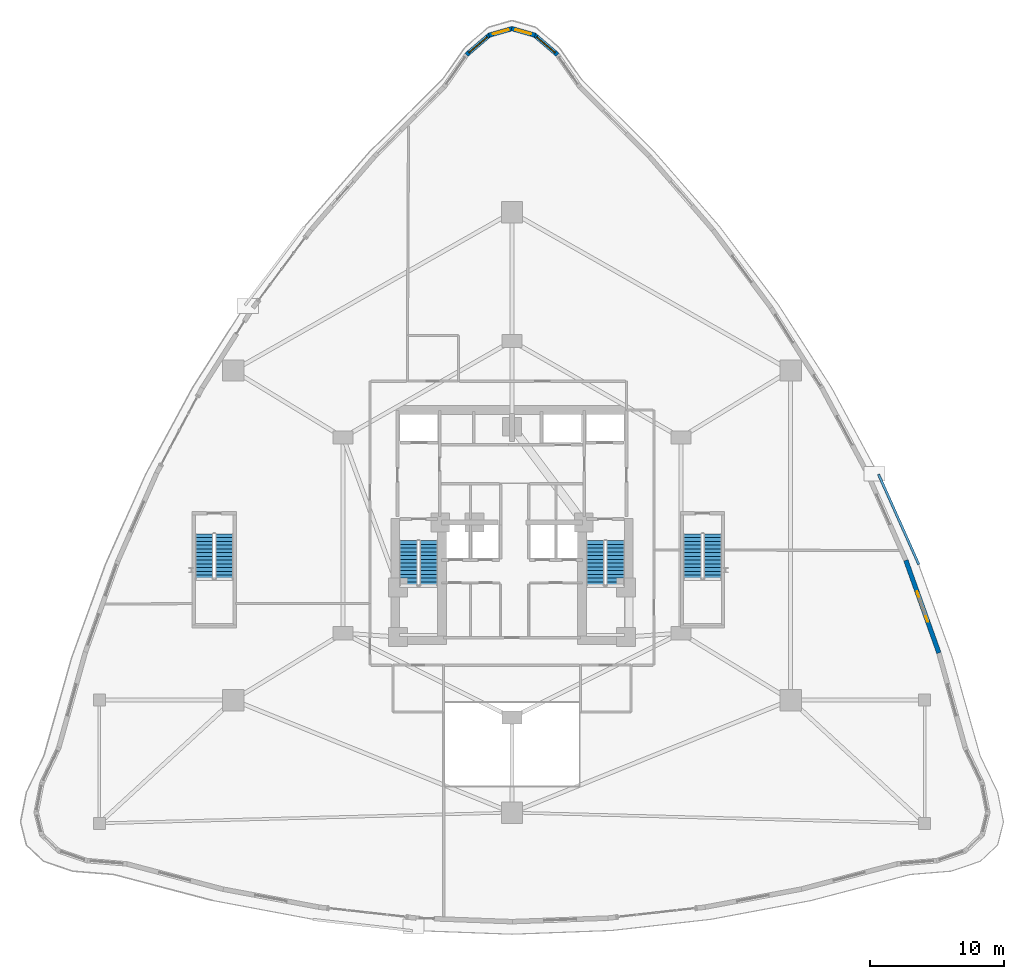
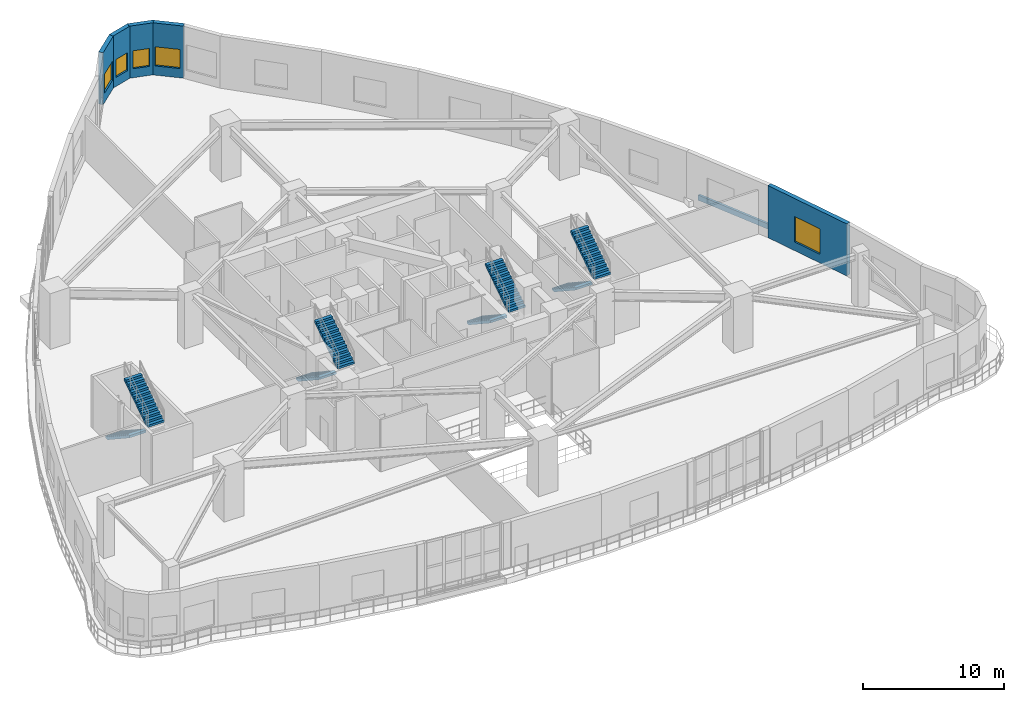
# One storey, part 19 of 25: 8 stair flights, 6 walls, 5 windows, 5 openings, 4 elements without a shape of their own.
"""IFC4 building model written with IfcOpenShell, lengths in metres."""

from ifc_helpers import new_model, si_unit, direction, frame, frame_2d, origin, place, context, subcontext, project, spatial, polyline, rectangle, outline, extrude, material, layer, layer_set, type_object, element, fill, aggregate, save


model = new_model("IFC4")

# Units and contexts
model_context = context("Model", 3, precision=1e-05, world=origin(), true_north=direction((0.0, 1.0)))
body_context = subcontext(model_context, "Body", "Model", "MODEL_VIEW")
ifc_project = project(units=[si_unit("LENGTHUNIT", "METRE"), si_unit("AREAUNIT", "SQUARE_METRE"), si_unit("VOLUMEUNIT", "CUBIC_METRE"), si_unit("PLANEANGLEUNIT", "RADIAN"), si_unit("MASSUNIT", "GRAM", prefix="KILO")], contexts=[model_context])

# Site, building, storey
site_placement = place(None, origin())
site = spatial("IfcSite", under=ifc_project, at=site_placement, CompositionType="ELEMENT")
building_placement = place(site_placement, origin())
building = spatial("IfcBuilding", under=site, at=building_placement, Name="Miruveldt Soraemaru", CompositionType="ELEMENT")
storey_placement = place(building_placement, frame((0.0, 0.0, 4.800048828125)))
storey = spatial("IfcBuildingStorey", under=building, at=storey_placement, Name="L02", CompositionType="ELEMENT", Elevation=4.800048828125)

# Wall, opening, window
ifc_material_1 = material(Name="Precast concrete C45/55 (45 MPa)", Category="concrete")
ifc_layer_1 = layer(ifc_material_1, 0.340087890625, Name="Precast concrete C45/55 (45 MPa)", Category="concrete")
ifc_layer_set_1 = layer_set([ifc_layer_1], Name="Precast concrete C45/55 (45 MPa)")
wall_type_1 = type_object("IfcWallType", Name="WALL-EXT-PC340", PredefinedType="SOLIDWALL", material=ifc_layer_set_1)
wall_1_placement = place(storey_placement, frame((47.396484375, 78.968017578125, 0.0), z_axis=(0.0, 0.0, 1.0), x_axis=(-0.75915120963, 0.650914311502, 0.0)))
wall_1 = element("IfcWall", 1, at=wall_1_placement, inside=storey, type_object=wall_type_1, Name="L02 Precast Concrete Facade Wall 2", PredefinedType="SOLIDWALL", context=body_context, shape_type="SweptSolid", body=[
    extrude(rectangle(XDim=2.28955078125, YDim=0.340087890625, at=frame_2d((1.144775390625, 0.0))), origin(), (0.0, 0.0, 1.0), 4.5),
])
opening_1_placement = place(wall_1_placement, frame((0.2451171875, 0.0, 0.800048828125)))
opening_1 = element("IfcOpeningElement", 2, at=opening_1_placement, cuts=wall_1, Name="Opening WN-2", PredefinedType="OPENING", context=body_context, shape_type="SweptSolid", body=[
    extrude(rectangle(XDim=1.800048828125, YDim=1.64990234375, at=frame_2d((0.89990234375, 0.824951171875))), frame((0.0, 0.18017578125, 0.0), z_axis=(0.0, -1.0, 0.0), x_axis=(1.0, 0.0, 0.0)), (0.0, 0.0, 1.0), 0.360107421875),
])
ifc_material_2 = material(Name="Triple low-e insulated glazing", Category="glass")
window_type_1 = type_object("IfcWindowType", Name="WIN-PUNCH-1800x1650", PartitioningType="SINGLE_PANEL", PredefinedType="WINDOW", material=ifc_material_2)
window_1_placement = place(opening_1_placement, origin())
window_1 = element("IfcWindow", 3, at=window_1_placement, inside=storey, type_object=window_type_1, Name="L02 Punched Triple-Glazed Window 02.1", OverallHeight=1.64990234375, OverallWidth=1.800048828125, PartitioningType="SINGLE_PANEL", PredefinedType="WINDOW", context=body_context, shape_type="SweptSolid", body=[
    extrude(rectangle(XDim=1.800048828125, YDim=1.64990234375, at=frame_2d((0.89990234375, 0.824951171875))), frame((0.0, 0.030029296875, 0.0), z_axis=(0.0, -1.0, 0.0), x_axis=(1.0, 0.0, 0.0)), (0.0, 0.0, 1.0), 0.06005859375),
])
fill(opening_1, window_1)

wall_2_placement = place(storey_placement, frame((45.71875, 80.42578125, 0.0), z_axis=(0.0, 0.0, 1.0), x_axis=(-0.961518892625, 0.274738819835, 0.0)))
wall_2 = element("IfcWall", 4, at=wall_2_placement, inside=storey, type_object=wall_type_1, Name="L02 Precast Concrete Facade Wall 3", PredefinedType="SOLIDWALL", context=body_context, shape_type="SweptSolid", body=[
    extrude(rectangle(XDim=1.822509765625, YDim=0.340087890625, at=frame_2d((0.9111328125, 0.0))), origin(), (0.0, 0.0, 1.0), 4.5),
])
opening_2_placement = place(wall_2_placement, frame((0.31103515625, 0.0, 0.780029296875)))
opening_2 = element("IfcOpeningElement", 5, at=opening_2_placement, cuts=wall_2, Name="Opening WN-4", PredefinedType="OPENING", context=body_context, shape_type="SweptSolid", body=[
    extrude(rectangle(XDim=1.199951171875, YDim=1.550048828125, at=frame_2d((0.60009765625, 0.77490234375))), frame((0.0, 0.18017578125, 0.0), z_axis=(0.0, -1.0, 0.0), x_axis=(1.0, 0.0, 0.0)), (0.0, 0.0, 1.0), 0.360107421875),
])
window_type_2 = type_object("IfcWindowType", Name="WIN-PUNCH-1200x1550", PartitioningType="SINGLE_PANEL", PredefinedType="WINDOW", material=ifc_material_2)
window_2_placement = place(opening_2_placement, origin())
window_2 = element("IfcWindow", 6, at=window_2_placement, inside=storey, type_object=window_type_2, Name="L02 Punched Triple-Glazed Window 03.1", OverallHeight=1.550048828125, OverallWidth=1.199951171875, PartitioningType="SINGLE_PANEL", PredefinedType="WINDOW", context=body_context, shape_type="SweptSolid", body=[
    extrude(rectangle(XDim=1.199951171875, YDim=1.550048828125, at=frame_2d((0.60009765625, 0.77490234375))), frame((0.0, 0.030029296875, 0.0), z_axis=(0.0, -1.0, 0.0), x_axis=(1.0, 0.0, 0.0)), (0.0, 0.0, 1.0), 0.06005859375),
])
fill(opening_2, window_2)

wall_3_placement = place(storey_placement, frame((44.03369140625, 80.926513671875, 0.0), z_axis=(0.0, 0.0, 1.0), x_axis=(-0.961518892625, -0.274738819835, 0.0)))
wall_3 = element("IfcWall", 7, at=wall_3_placement, inside=storey, type_object=wall_type_1, Name="L02 Precast Concrete Facade Wall 4", PredefinedType="SOLIDWALL", context=body_context, shape_type="SweptSolid", body=[
    extrude(rectangle(XDim=1.822509765625, YDim=0.340087890625, at=frame_2d((0.9111328125, 0.0))), origin(), (0.0, 0.0, 1.0), 4.5),
])
opening_3_placement = place(wall_3_placement, frame((0.31103515625, 0.0, 0.780029296875)))
opening_3 = element("IfcOpeningElement", 8, at=opening_3_placement, cuts=wall_3, Name="Opening WN-4", PredefinedType="OPENING", context=body_context, shape_type="SweptSolid", body=[
    extrude(rectangle(XDim=1.199951171875, YDim=1.550048828125, at=frame_2d((0.60009765625, 0.77490234375))), frame((0.0, 0.18017578125, 0.0), z_axis=(0.0, -1.0, 0.0), x_axis=(1.0, 0.0, 0.0)), (0.0, 0.0, 1.0), 0.360107421875),
])
window_3_placement = place(opening_3_placement, origin())
window_3 = element("IfcWindow", 9, at=window_3_placement, inside=storey, type_object=window_type_2, Name="L02 Punched Triple-Glazed Window 04.1", OverallHeight=1.550048828125, OverallWidth=1.199951171875, PartitioningType="SINGLE_PANEL", PredefinedType="WINDOW", context=body_context, shape_type="SweptSolid", body=[
    extrude(rectangle(XDim=1.199951171875, YDim=1.550048828125, at=frame_2d((0.60009765625, 0.77490234375))), frame((0.0, 0.030029296875, 0.0), z_axis=(0.0, -1.0, 0.0), x_axis=(1.0, 0.0, 0.0)), (0.0, 0.0, 1.0), 0.06005859375),
])
fill(opening_3, window_3)

wall_4_placement = place(storey_placement, frame((42.341552734375, 80.458251953125, 0.0), z_axis=(0.0, 0.0, 1.0), x_axis=(-0.75915120963, -0.650914311502, 0.0)))
wall_4 = element("IfcWall", 10, at=wall_4_placement, inside=storey, type_object=wall_type_1, Name="L02 Precast Concrete Facade Wall 5", PredefinedType="SOLIDWALL", context=body_context, shape_type="SweptSolid", body=[
    extrude(rectangle(XDim=2.28955078125, YDim=0.340087890625, at=frame_2d((1.144775390625, 0.0))), origin(), (0.0, 0.0, 1.0), 4.5),
])
opening_4_placement = place(wall_4_placement, frame((0.2451171875, 0.0, 0.800048828125)))
opening_4 = element("IfcOpeningElement", 11, at=opening_4_placement, cuts=wall_4, Name="Opening WN-2", PredefinedType="OPENING", context=body_context, shape_type="SweptSolid", body=[
    extrude(rectangle(XDim=1.800048828125, YDim=1.64990234375, at=frame_2d((0.89990234375, 0.824951171875))), frame((0.0, 0.18017578125, 0.0), z_axis=(0.0, -1.0, 0.0), x_axis=(1.0, 0.0, 0.0)), (0.0, 0.0, 1.0), 0.360107421875),
])
window_4_placement = place(opening_4_placement, origin())
window_4 = element("IfcWindow", 12, at=window_4_placement, inside=storey, type_object=window_type_1, Name="L02 Punched Triple-Glazed Window 05.1", OverallHeight=1.64990234375, OverallWidth=1.800048828125, PartitioningType="SINGLE_PANEL", PredefinedType="WINDOW", context=body_context, shape_type="SweptSolid", body=[
    extrude(rectangle(XDim=1.800048828125, YDim=1.64990234375, at=frame_2d((0.89990234375, 0.824951171875))), frame((0.0, 0.030029296875, 0.0), z_axis=(0.0, -1.0, 0.0), x_axis=(1.0, 0.0, 0.0)), (0.0, 0.0, 1.0), 0.06005859375),
])
fill(opening_4, window_4)

wall_5_placement = place(storey_placement, frame((75.863525390625, 34.3212890625, 0.0), z_axis=(0.0, 0.0, 1.0), x_axis=(-0.335971563965, 0.941872129435, 0.0)))
wall_5 = element("IfcWall", 13, at=wall_5_placement, inside=storey, type_object=wall_type_1, Name="L02 Precast Concrete Facade Wall 36", PredefinedType="SOLIDWALL", context=body_context, shape_type="SweptSolid", body=[
    extrude(rectangle(XDim=7.334228515625, YDim=0.340087890625, at=frame_2d((3.6669921875, 0.0))), origin(), (0.0, 0.0, 1.0), 4.5),
])
opening_5_placement = place(wall_5_placement, frame((2.467041015625, 0.0, 0.75)))
opening_5 = element("IfcOpeningElement", 14, at=opening_5_placement, cuts=wall_5, Name="Opening WN-5", PredefinedType="OPENING", context=body_context, shape_type="SweptSolid", body=[
    extrude(rectangle(XDim=2.39990234375, YDim=2.199951171875, at=frame_2d((1.199951171875, 1.10009765625))), frame((0.0, 0.18017578125, 0.0), z_axis=(0.0, -1.0, 0.0), x_axis=(1.0, 0.0, 0.0)), (0.0, 0.0, 1.0), 0.360107421875),
])
window_type_3 = type_object("IfcWindowType", Name="WIN-PODM-2400x2200", PartitioningType="SINGLE_PANEL", PredefinedType="WINDOW", material=ifc_material_2)
window_5_placement = place(opening_5_placement, origin())
window_5 = element("IfcWindow", 15, at=window_5_placement, inside=storey, type_object=window_type_3, Name="L02 Punched Triple-Glazed Window 36.1", OverallHeight=2.199951171875, OverallWidth=2.39990234375, PartitioningType="SINGLE_PANEL", PredefinedType="WINDOW", context=body_context, shape_type="SweptSolid", body=[
    extrude(rectangle(XDim=2.39990234375, YDim=2.199951171875, at=frame_2d((1.199951171875, 1.10009765625))), frame((0.0, 0.030029296875, 0.0), z_axis=(0.0, -1.0, 0.0), x_axis=(1.0, 0.0, 0.0)), (0.0, 0.0, 1.0), 0.06005859375),
])
fill(opening_5, window_5)

# Wall
ifc_layer_2 = layer(ifc_material_1, 0.179931640625, Name="Precast concrete C45/55 (45 MPa)", Category="concrete")
ifc_layer_set_2 = layer_set([ifc_layer_2], Name="Precast concrete C45/55 (45 MPa)")
wall_type_2 = type_object("IfcWallType", Name="WALL-PAR-180", PredefinedType="PARAPET", material=ifc_layer_set_2)
wall_6_placement = place(storey_placement, frame((74.364990234375, 40.922119140625, 0.0), z_axis=(0.0, 0.0, 1.0), x_axis=(-0.408098706283, 0.912937810549, 0.0)))
element("IfcWall", 16, at=wall_6_placement, inside=storey, type_object=wall_type_2, Name="L02 Terrace Upstand Parapet 36", PredefinedType="PARAPET", context=body_context, shape_type="SweptSolid", body=[
    extrude(rectangle(XDim=7.369140625, YDim=0.179931640625, at=frame_2d((3.6845703125, 0.0))), origin(), (0.0, 0.0, 1.0), 0.449951171875),
])

# Stair, stair flights
ifc_material_3 = material(Name="Concrete C40/50 (40 MPa)", Category="concrete")
stair_type_1 = type_object("IfcStairType", Name="STAIR-DL-480", PredefinedType="HALF_TURN_STAIR", material=ifc_material_3)
stair_1_placement = place(storey_placement, origin())
stair_1 = element("IfcStair", 17, at=stair_1_placement, inside=storey, type_object=stair_type_1, Name="L02 Protected Exit Stair ST-1", PredefinedType="HALF_TURN_STAIR")
stair_flight_type_1 = type_object("IfcStairFlightType", Name="SFL-DL-480", PredefinedType="STRAIGHT", material=ifc_material_3)
stair_flight_1_placement = place(storey_placement, frame((36.27490234375, 42.699951171875, 0.0), z_axis=(0.0, 0.0, 1.0), x_axis=(0.0, -1.0, 0.0)))
stair_flight_1 = element("IfcStairFlight", 18, at=stair_flight_1_placement, type_object=stair_flight_type_1, Name="ST-1 flight 1", NumberOfRisers=13, NumberOfTreads=12, PredefinedType="STRAIGHT", RiserHeight=0.184615385, TreadLength=0.28, context=body_context, shape_type="SweptSolid", body=[
    extrude(outline(polyline([(0.0, 0.0), (0.0, 0.1845703125), (0.280029296875, 0.1845703125), (0.280029296875, 0.369140625), (0.56005859375, 0.369140625), (0.56005859375, 0.553955078125), (0.840087890625, 0.553955078125), (0.840087890625, 0.738525390625), (1.1201171875, 0.738525390625), (1.1201171875, 0.923095703125), (1.39990234375, 0.923095703125), (1.39990234375, 1.107666015625), (1.679931640625, 1.107666015625), (1.679931640625, 1.292236328125), (1.9599609375, 1.292236328125), (1.9599609375, 1.476806640625), (2.239990234375, 1.476806640625), (2.239990234375, 1.66162109375), (2.52001953125, 1.66162109375), (2.52001953125, 1.84619140625), (2.800048828125, 1.84619140625), (2.800048828125, 2.03076171875), (3.080078125, 2.03076171875), (3.080078125, 2.21533203125), (3.360107421875, 2.21533203125), (3.360107421875, 2.39990234375), (3.360107421875, 2.02392578125), (0.29052734375, 0.0), (0.0, 0.0)])), frame((0.0, 0.675048828125, 0.0), z_axis=(0.0, -1.0, 0.0), x_axis=(1.0, 0.0, 0.0)), (0.0, 0.0, 1.0), 1.35009765625),
])
stair_flight_2_placement = place(storey_placement, frame((37.77490234375, 39.340087890625, 2.39990234375), z_axis=(0.0, 0.0, 1.0), x_axis=(0.0, 1.0, 0.0)))
stair_flight_2 = element("IfcStairFlight", 19, at=stair_flight_2_placement, type_object=stair_flight_type_1, Name="ST-1 flight 2", NumberOfRisers=13, NumberOfTreads=12, PredefinedType="STRAIGHT", RiserHeight=0.184615385, TreadLength=0.28, context=body_context, shape_type="SweptSolid", body=[
    extrude(outline(polyline([(0.0, 0.0), (0.0, 0.1845703125), (0.280029296875, 0.1845703125), (0.280029296875, 0.369140625), (0.56005859375, 0.369140625), (0.56005859375, 0.553955078125), (0.840087890625, 0.553955078125), (0.840087890625, 0.738525390625), (1.1201171875, 0.738525390625), (1.1201171875, 0.923095703125), (1.39990234375, 0.923095703125), (1.39990234375, 1.107666015625), (1.679931640625, 1.107666015625), (1.679931640625, 1.292236328125), (1.9599609375, 1.292236328125), (1.9599609375, 1.476806640625), (2.239990234375, 1.476806640625), (2.239990234375, 1.66162109375), (2.52001953125, 1.66162109375), (2.52001953125, 1.84619140625), (2.800048828125, 1.84619140625), (2.800048828125, 2.03076171875), (3.080078125, 2.03076171875), (3.080078125, 2.21533203125), (3.360107421875, 2.21533203125), (3.360107421875, 2.39990234375), (3.360107421875, 2.02392578125), (0.29052734375, 0.0), (0.0, 0.0)])), frame((0.0, 0.675048828125, 0.0), z_axis=(0.0, -1.0, 0.0), x_axis=(1.0, 0.0, 0.0)), (0.0, 0.0, 1.0), 1.35009765625),
])
aggregate(stair_1, [stair_flight_1, stair_flight_2])

stair_2_placement = place(storey_placement, origin())
stair_2 = element("IfcStair", 20, at=stair_2_placement, inside=storey, type_object=stair_type_1, Name="L02 Protected Exit Stair ST-2", PredefinedType="HALF_TURN_STAIR")
stair_flight_3_placement = place(storey_placement, frame((50.22509765625, 42.699951171875, 0.0), z_axis=(0.0, 0.0, 1.0), x_axis=(0.0, -1.0, 0.0)))
stair_flight_3 = element("IfcStairFlight", 21, at=stair_flight_3_placement, type_object=stair_flight_type_1, Name="ST-2 flight 1", NumberOfRisers=13, NumberOfTreads=12, PredefinedType="STRAIGHT", RiserHeight=0.184615385, TreadLength=0.28, context=body_context, shape_type="SweptSolid", body=[
    extrude(outline(polyline([(0.0, 0.0), (0.0, 0.1845703125), (0.280029296875, 0.1845703125), (0.280029296875, 0.369140625), (0.56005859375, 0.369140625), (0.56005859375, 0.553955078125), (0.840087890625, 0.553955078125), (0.840087890625, 0.738525390625), (1.1201171875, 0.738525390625), (1.1201171875, 0.923095703125), (1.39990234375, 0.923095703125), (1.39990234375, 1.107666015625), (1.679931640625, 1.107666015625), (1.679931640625, 1.292236328125), (1.9599609375, 1.292236328125), (1.9599609375, 1.476806640625), (2.239990234375, 1.476806640625), (2.239990234375, 1.66162109375), (2.52001953125, 1.66162109375), (2.52001953125, 1.84619140625), (2.800048828125, 1.84619140625), (2.800048828125, 2.03076171875), (3.080078125, 2.03076171875), (3.080078125, 2.21533203125), (3.360107421875, 2.21533203125), (3.360107421875, 2.39990234375), (3.360107421875, 2.02392578125), (0.29052734375, 0.0), (0.0, 0.0)])), frame((0.0, 0.675048828125, 0.0), z_axis=(0.0, -1.0, 0.0), x_axis=(1.0, 0.0, 0.0)), (0.0, 0.0, 1.0), 1.35009765625),
])
stair_flight_4_placement = place(storey_placement, frame((51.72509765625, 39.340087890625, 2.39990234375), z_axis=(0.0, 0.0, 1.0), x_axis=(0.0, 1.0, 0.0)))
stair_flight_4 = element("IfcStairFlight", 22, at=stair_flight_4_placement, type_object=stair_flight_type_1, Name="ST-2 flight 2", NumberOfRisers=13, NumberOfTreads=12, PredefinedType="STRAIGHT", RiserHeight=0.184615385, TreadLength=0.28, context=body_context, shape_type="SweptSolid", body=[
    extrude(outline(polyline([(0.0, 0.0), (0.0, 0.1845703125), (0.280029296875, 0.1845703125), (0.280029296875, 0.369140625), (0.56005859375, 0.369140625), (0.56005859375, 0.553955078125), (0.840087890625, 0.553955078125), (0.840087890625, 0.738525390625), (1.1201171875, 0.738525390625), (1.1201171875, 0.923095703125), (1.39990234375, 0.923095703125), (1.39990234375, 1.107666015625), (1.679931640625, 1.107666015625), (1.679931640625, 1.292236328125), (1.9599609375, 1.292236328125), (1.9599609375, 1.476806640625), (2.239990234375, 1.476806640625), (2.239990234375, 1.66162109375), (2.52001953125, 1.66162109375), (2.52001953125, 1.84619140625), (2.800048828125, 1.84619140625), (2.800048828125, 2.03076171875), (3.080078125, 2.03076171875), (3.080078125, 2.21533203125), (3.360107421875, 2.21533203125), (3.360107421875, 2.39990234375), (3.360107421875, 2.02392578125), (0.29052734375, 0.0), (0.0, 0.0)])), frame((0.0, 0.675048828125, 0.0), z_axis=(0.0, -1.0, 0.0), x_axis=(1.0, 0.0, 0.0)), (0.0, 0.0, 1.0), 1.35009765625),
])
aggregate(stair_2, [stair_flight_3, stair_flight_4])

stair_3_placement = place(storey_placement, origin())
stair_3 = element("IfcStair", 23, at=stair_3_placement, inside=storey, type_object=stair_type_1, Name="L02 Podium Protected Exit Stair ST-3", PredefinedType="HALF_TURN_STAIR")
stair_flight_5_placement = place(storey_placement, frame((21.02490234375, 43.199951171875, 0.0), z_axis=(0.0, 0.0, 1.0), x_axis=(0.0, -1.0, 0.0)))
stair_flight_5 = element("IfcStairFlight", 24, at=stair_flight_5_placement, type_object=stair_flight_type_1, Name="ST-3 flight 1", NumberOfRisers=13, NumberOfTreads=12, PredefinedType="STRAIGHT", RiserHeight=0.184615385, TreadLength=0.28, context=body_context, shape_type="SweptSolid", body=[
    extrude(outline(polyline([(0.0, 0.0), (0.0, 0.1845703125), (0.280029296875, 0.1845703125), (0.280029296875, 0.369140625), (0.56005859375, 0.369140625), (0.56005859375, 0.553955078125), (0.840087890625, 0.553955078125), (0.840087890625, 0.738525390625), (1.1201171875, 0.738525390625), (1.1201171875, 0.923095703125), (1.39990234375, 0.923095703125), (1.39990234375, 1.107666015625), (1.679931640625, 1.107666015625), (1.679931640625, 1.292236328125), (1.9599609375, 1.292236328125), (1.9599609375, 1.476806640625), (2.239990234375, 1.476806640625), (2.239990234375, 1.66162109375), (2.52001953125, 1.66162109375), (2.52001953125, 1.84619140625), (2.800048828125, 1.84619140625), (2.800048828125, 2.03076171875), (3.080078125, 2.03076171875), (3.080078125, 2.21533203125), (3.360107421875, 2.21533203125), (3.360107421875, 2.39990234375), (3.360107421875, 2.02392578125), (0.29052734375, 0.0), (0.0, 0.0)])), frame((0.0, 0.675048828125, 0.0), z_axis=(0.0, -1.0, 0.0), x_axis=(1.0, 0.0, 0.0)), (0.0, 0.0, 1.0), 1.35009765625),
])
stair_flight_6_placement = place(storey_placement, frame((22.52490234375, 39.840087890625, 2.39990234375), z_axis=(0.0, 0.0, 1.0), x_axis=(0.0, 1.0, 0.0)))
stair_flight_6 = element("IfcStairFlight", 25, at=stair_flight_6_placement, type_object=stair_flight_type_1, Name="ST-3 flight 2", NumberOfRisers=13, NumberOfTreads=12, PredefinedType="STRAIGHT", RiserHeight=0.184615385, TreadLength=0.28, context=body_context, shape_type="SweptSolid", body=[
    extrude(outline(polyline([(0.0, 0.0), (0.0, 0.1845703125), (0.280029296875, 0.1845703125), (0.280029296875, 0.369140625), (0.56005859375, 0.369140625), (0.56005859375, 0.553955078125), (0.840087890625, 0.553955078125), (0.840087890625, 0.738525390625), (1.1201171875, 0.738525390625), (1.1201171875, 0.923095703125), (1.39990234375, 0.923095703125), (1.39990234375, 1.107666015625), (1.679931640625, 1.107666015625), (1.679931640625, 1.292236328125), (1.9599609375, 1.292236328125), (1.9599609375, 1.476806640625), (2.239990234375, 1.476806640625), (2.239990234375, 1.66162109375), (2.52001953125, 1.66162109375), (2.52001953125, 1.84619140625), (2.800048828125, 1.84619140625), (2.800048828125, 2.03076171875), (3.080078125, 2.03076171875), (3.080078125, 2.21533203125), (3.360107421875, 2.21533203125), (3.360107421875, 2.39990234375), (3.360107421875, 2.02392578125), (0.29052734375, 0.0), (0.0, 0.0)])), frame((0.0, 0.675048828125, 0.0), z_axis=(0.0, -1.0, 0.0), x_axis=(1.0, 0.0, 0.0)), (0.0, 0.0, 1.0), 1.35009765625),
])
aggregate(stair_3, [stair_flight_5, stair_flight_6])

ifc_material_4 = material(Name="Steel S355 (355 MPa)", Category="steel")
stair_type_2 = type_object("IfcStairType", Name="STAIR-FEAT-STR", PredefinedType="TWO_STRAIGHT_RUN_STAIR", material=ifc_material_4)
stair_4_placement = place(storey_placement, origin())
stair_4 = element("IfcStair", 26, at=stair_4_placement, inside=storey, type_object=stair_type_2, Name="L02 Podium Garden Feature Stair ST-4", PredefinedType="TWO_STRAIGHT_RUN_STAIR")
stair_flight_type_2 = type_object("IfcStairFlightType", Name="SFL-FEAT-STR", PredefinedType="STRAIGHT", material=ifc_material_4)
stair_flight_7_placement = place(storey_placement, frame((57.47509765625, 43.199951171875, 0.0), z_axis=(0.0, 0.0, 1.0), x_axis=(0.0, -1.0, 0.0)))
stair_flight_7 = element("IfcStairFlight", 27, at=stair_flight_7_placement, type_object=stair_flight_type_2, Name="ST-4 flight 1", NumberOfRisers=13, NumberOfTreads=12, PredefinedType="STRAIGHT", RiserHeight=0.184615385, TreadLength=0.28, context=body_context, shape_type="SweptSolid", body=[
    extrude(outline(polyline([(0.0, 0.0), (0.0, 0.1845703125), (0.280029296875, 0.1845703125), (0.280029296875, 0.369140625), (0.56005859375, 0.369140625), (0.56005859375, 0.553955078125), (0.840087890625, 0.553955078125), (0.840087890625, 0.738525390625), (1.1201171875, 0.738525390625), (1.1201171875, 0.923095703125), (1.39990234375, 0.923095703125), (1.39990234375, 1.107666015625), (1.679931640625, 1.107666015625), (1.679931640625, 1.292236328125), (1.9599609375, 1.292236328125), (1.9599609375, 1.476806640625), (2.239990234375, 1.476806640625), (2.239990234375, 1.66162109375), (2.52001953125, 1.66162109375), (2.52001953125, 1.84619140625), (2.800048828125, 1.84619140625), (2.800048828125, 2.03076171875), (3.080078125, 2.03076171875), (3.080078125, 2.21533203125), (3.360107421875, 2.21533203125), (3.360107421875, 2.39990234375), (3.360107421875, 2.02392578125), (0.29052734375, 0.0), (0.0, 0.0)])), frame((0.0, 0.675048828125, 0.0), z_axis=(0.0, -1.0, 0.0), x_axis=(1.0, 0.0, 0.0)), (0.0, 0.0, 1.0), 1.35009765625),
])
stair_flight_8_placement = place(storey_placement, frame((58.97509765625, 39.840087890625, 2.39990234375), z_axis=(0.0, 0.0, 1.0), x_axis=(0.0, 1.0, 0.0)))
stair_flight_8 = element("IfcStairFlight", 28, at=stair_flight_8_placement, type_object=stair_flight_type_2, Name="ST-4 flight 2", NumberOfRisers=13, NumberOfTreads=12, PredefinedType="STRAIGHT", RiserHeight=0.184615385, TreadLength=0.28, context=body_context, shape_type="SweptSolid", body=[
    extrude(outline(polyline([(0.0, 0.0), (0.0, 0.1845703125), (0.280029296875, 0.1845703125), (0.280029296875, 0.369140625), (0.56005859375, 0.369140625), (0.56005859375, 0.553955078125), (0.840087890625, 0.553955078125), (0.840087890625, 0.738525390625), (1.1201171875, 0.738525390625), (1.1201171875, 0.923095703125), (1.39990234375, 0.923095703125), (1.39990234375, 1.107666015625), (1.679931640625, 1.107666015625), (1.679931640625, 1.292236328125), (1.9599609375, 1.292236328125), (1.9599609375, 1.476806640625), (2.239990234375, 1.476806640625), (2.239990234375, 1.66162109375), (2.52001953125, 1.66162109375), (2.52001953125, 1.84619140625), (2.800048828125, 1.84619140625), (2.800048828125, 2.03076171875), (3.080078125, 2.03076171875), (3.080078125, 2.21533203125), (3.360107421875, 2.21533203125), (3.360107421875, 2.39990234375), (3.360107421875, 2.02392578125), (0.29052734375, 0.0), (0.0, 0.0)])), frame((0.0, 0.675048828125, 0.0), z_axis=(0.0, -1.0, 0.0), x_axis=(1.0, 0.0, 0.0)), (0.0, 0.0, 1.0), 1.35009765625),
])
aggregate(stair_4, [stair_flight_7, stair_flight_8])

save(model, "model.ifc")
